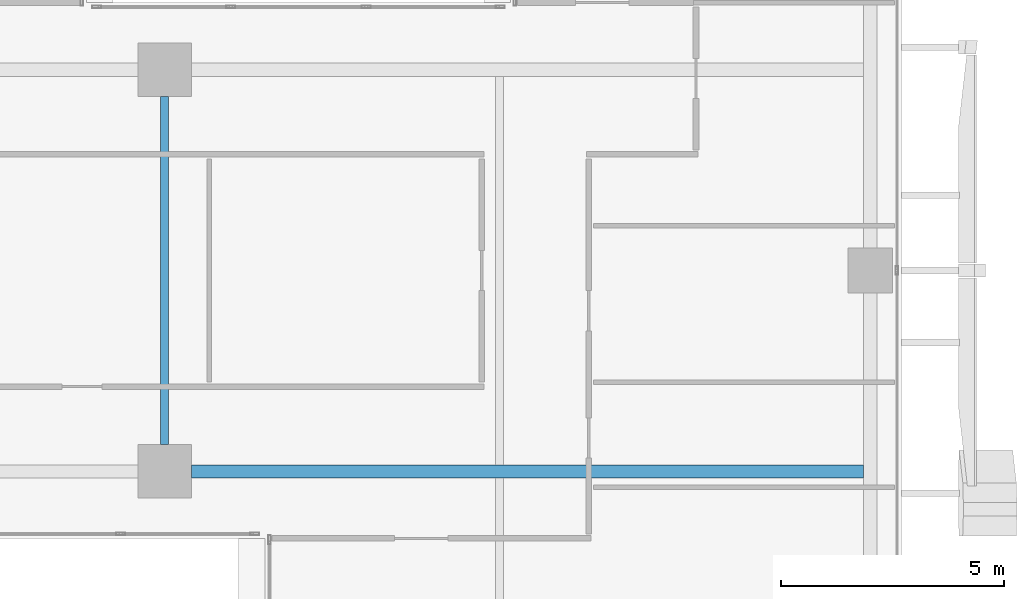
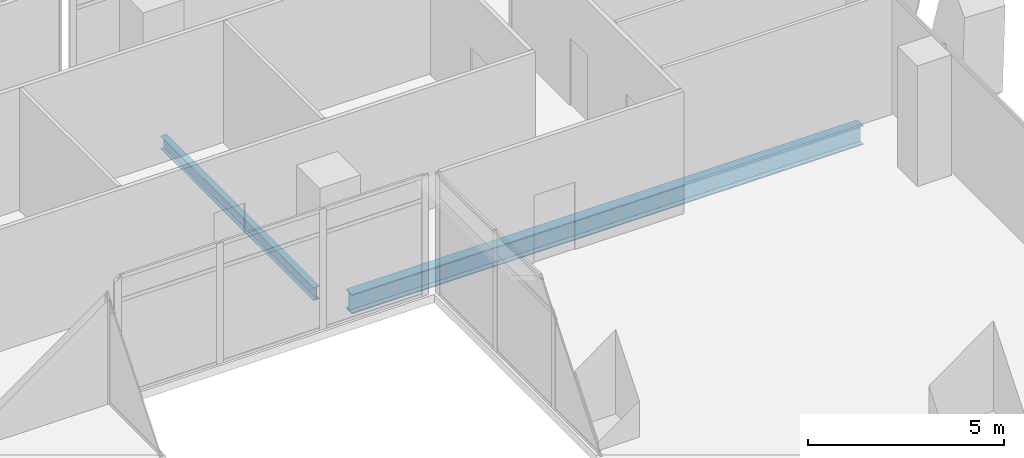
# One storey, part 13 of 40: 2 beams.
"""IFC4 building model written with IfcOpenShell, lengths in metres."""

from ifc_helpers import new_model, si_unit, direction, frame, origin, origin_2d, place, context, subcontext, project, spatial, i_section, extrude, source, transform, mapped, material, material_profile, profile_set, type_object, element, save


model = new_model("IFC4")

# Units and contexts
model_context = context("Model", 3, precision=1e-05, world=origin(), true_north=direction((0.0, 1.0)))
body_context = subcontext(model_context, "Body", "Model", "MODEL_VIEW")
ifc_project = project(units=[si_unit("LENGTHUNIT", "METRE"), si_unit("AREAUNIT", "SQUARE_METRE"), si_unit("VOLUMEUNIT", "CUBIC_METRE"), si_unit("PLANEANGLEUNIT", "RADIAN"), si_unit("MASSUNIT", "GRAM", prefix="KILO")], contexts=[model_context])

# Site, building, storey
site_placement = place(None, origin())
site = spatial("IfcSite", under=ifc_project, at=site_placement, CompositionType="ELEMENT")
building_placement = place(site_placement, origin())
building = spatial("IfcBuilding", under=site, at=building_placement, Name="Khomas Fold Tower", CompositionType="ELEMENT")
storey_placement = place(building_placement, frame((0.0, 0.0, 176.699951171875)))
storey = spatial("IfcBuildingStorey", under=building, at=storey_placement, Name="L38", CompositionType="ELEMENT", Elevation=176.699951171875)

# Beams
ifc_material_1 = material(Name="Steel S355", Category="steel")
ifc_material_profile_1 = material_profile(ifc_material_1, i_section(OverallWidth=0.300048828125, OverallDepth=0.60009765625, WebThickness=0.015380859375, FlangeThickness=0.030029296875, at=origin_2d()), Name="HE 600 B")
ifc_profile_set_1 = profile_set([ifc_material_profile_1], Name="Steel S355")
beam_type_1 = type_object("IfcBeamType", Name="HE 600 B beam GB5", PredefinedType="BEAM", material=ifc_profile_set_1)
shared_shape_1 = source(origin(), body_context, "Body", "SweptSolid", [
    extrude(i_section(OverallWidth=0.300048828125, OverallDepth=0.60009765625, WebThickness=0.015380859375, FlangeThickness=0.030029296875, at=origin_2d()), origin(), (0.0, 0.0, 1.0), 15.0498046875),
])
beam_1_placement = place(storey_placement, frame((35.10009765625, 22.5, -0.550048828125), z_axis=(1.0, 0.0, 0.0), x_axis=(0.0, 1.0, 0.0)))
element("IfcBeam", 1, at=beam_1_placement, inside=storey, type_object=beam_type_1, Name="GB5", PredefinedType="BEAM", context=body_context, shape_type="MappedRepresentation", body=[
    mapped(shared_shape_1, transform((0.0, 0.0, 0.0))),
])
ifc_material_2 = material(Name="Steel S355", Category="steel")
ifc_material_profile_2 = material_profile(ifc_material_2, i_section(OverallWidth=0.179931640625, OverallDepth=0.39990234375, WebThickness=0.008544921875, FlangeThickness=0.013427734375, at=origin_2d()), Name="IPE 400")
ifc_profile_set_2 = profile_set([ifc_material_profile_2], Name="Steel S355")
beam_type_2 = type_object("IfcBeamType", Name="IPE 400 beam JB3", PredefinedType="BEAM", material=ifc_profile_set_2)
shared_shape_2 = source(origin(), body_context, "Body", "SweptSolid", [
    extrude(i_section(OverallWidth=0.179931640625, OverallDepth=0.39990234375, WebThickness=0.008544921875, FlangeThickness=0.013427734375, at=origin_2d()), origin(), (0.0, 0.0, 1.0), 7.7998046875),
])
beam_2_placement = place(storey_placement, frame((34.5, 23.10009765625, -0.449951171875), z_axis=(0.0, 1.0, 0.0), x_axis=(-1.0, 0.0, 0.0)))
element("IfcBeam", 2, at=beam_2_placement, inside=storey, type_object=beam_type_2, Name="JB3", PredefinedType="BEAM", context=body_context, shape_type="MappedRepresentation", body=[
    mapped(shared_shape_2, transform((0.0, 0.0, 0.0))),
])

save(model, "model.ifc")
